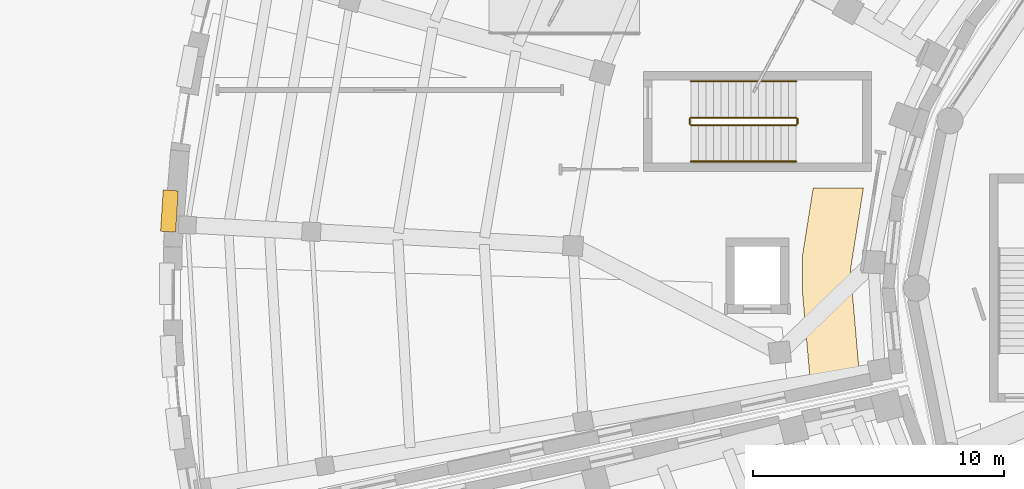
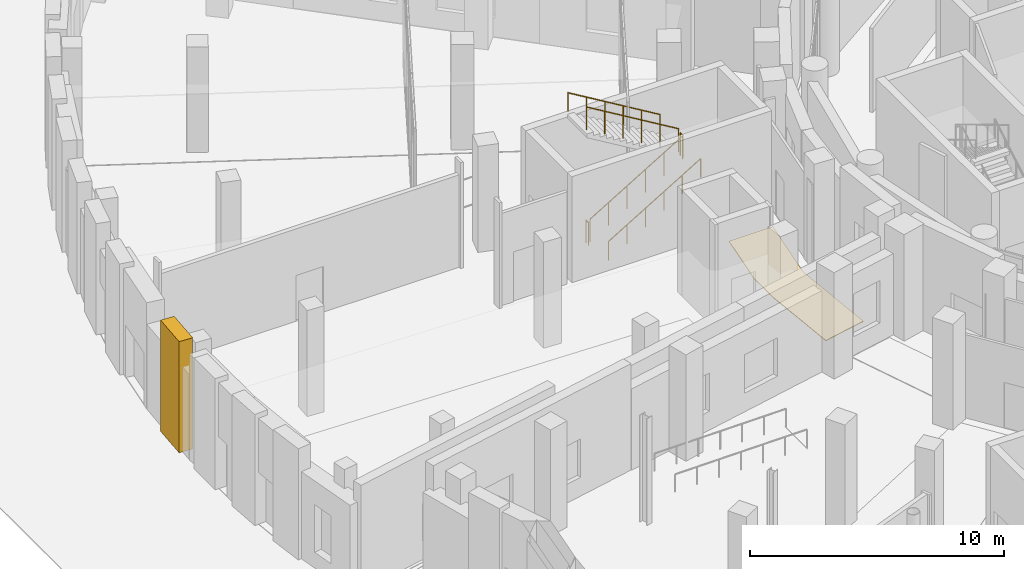
# One storey, part 59 of 74: 6 railings, 2 coverings.
"""IFC4 building model written with IfcOpenShell, lengths in metres."""

from ifc_helpers import new_model, si_unit, direction, frame, origin, origin_2d, place, context, subcontext, project, spatial, polyline, rectangle, circle, outline, extrude, material, layer, layer_set, type_object, element, save


model = new_model("IFC4")

# Units and contexts
model_context = context("Model", 3, precision=1e-05, world=origin(), true_north=direction((0.0, 1.0)))
body_context = subcontext(model_context, "Body", "Model", "MODEL_VIEW")
ifc_project = project(units=[si_unit("LENGTHUNIT", "METRE"), si_unit("AREAUNIT", "SQUARE_METRE"), si_unit("VOLUMEUNIT", "CUBIC_METRE"), si_unit("PLANEANGLEUNIT", "RADIAN"), si_unit("MASSUNIT", "GRAM", prefix="KILO")], contexts=[model_context])

# Site, building, storey
site_placement = place(None, origin())
site = spatial("IfcSite", under=ifc_project, at=site_placement, CompositionType="ELEMENT")
building_placement = place(site_placement, origin())
building = spatial("IfcBuilding", under=site, at=building_placement, Name="Soyqirgoq Riverine Aquarium", CompositionType="ELEMENT")
storey_placement = place(building_placement, origin())
storey = spatial("IfcBuildingStorey", under=building, at=storey_placement, Name="L01", CompositionType="ELEMENT", Elevation=0.0)

# Railings
ifc_material_1 = material(Name="Brushed stainless steel 316L tubular handrail", Category="steel")
railing_type_1 = type_object("IfcRailingType", Name="StairPitchHandrail_920", PredefinedType="HANDRAIL", material=ifc_material_1)
railing_1_placement = place(storey_placement, frame((29.550048828125, 62.050048828125, 0.179931640625)))
element("IfcRailing", 1, at=railing_1_placement, inside=storey, type_object=railing_type_1, Name="L01 ST-3 stair handrail 1", PredefinedType="HANDRAIL", context=body_context, shape_type="SweptSolid", body=[
    extrude(circle(Radius=0.02392578125, at=origin_2d()), frame((0.0, 0.0, 0.89990234375), z_axis=(0.857488527567, 0.0, 0.514503085598), x_axis=(0.0, 1.0, 0.0)), (0.0, 0.0, 1.0), 4.89794921875),
    extrude(circle(Radius=0.02099609375, at=origin_2d()), origin(), (0.0, 0.0, 1.0), 0.875732421875),
    extrude(circle(Radius=0.02099609375, at=origin_2d()), frame((0.840087890625, 0.0, 0.50390625)), (0.0, 0.0, 1.0), 0.875732421875),
    extrude(circle(Radius=0.02099609375, at=origin_2d()), frame((1.679931640625, 0.0, 1.008056640625)), (0.0, 0.0, 1.0), 0.875732421875),
    extrude(circle(Radius=0.02099609375, at=origin_2d()), frame((2.52001953125, 0.0, 1.511962890625)), (0.0, 0.0, 1.0), 0.875732421875),
    extrude(circle(Radius=0.02099609375, at=origin_2d()), frame((3.35986328125, 0.0, 2.01611328125)), (0.0, 0.0, 1.0), 0.875732421875),
    extrude(circle(Radius=0.02099609375, at=origin_2d()), frame((4.199951171875, 0.0, 2.52001953125)), (0.0, 0.0, 1.0), 0.875732421875),
])
railing_2_placement = place(storey_placement, frame((33.75, 65.25, 2.8798828125)))
element("IfcRailing", 2, at=railing_2_placement, inside=storey, type_object=railing_type_1, Name="L01 ST-3 stair handrail 2", PredefinedType="HANDRAIL", context=body_context, shape_type="SweptSolid", body=[
    extrude(circle(Radius=0.02392578125, at=origin_2d()), frame((0.0, 0.0, 0.89990234375), z_axis=(-0.857488527567, 0.0, 0.514503085598), x_axis=(0.0, -1.0, 0.0)), (0.0, 0.0, 1.0), 4.89794921875),
    extrude(circle(Radius=0.02099609375, at=origin_2d()), origin(), (0.0, 0.0, 1.0), 0.875732421875),
    extrude(circle(Radius=0.02099609375, at=origin_2d()), frame((-0.840087890625, 0.0, 0.50390625)), (0.0, 0.0, 1.0), 0.875732421875),
    extrude(circle(Radius=0.02099609375, at=origin_2d()), frame((-1.679931640625, 0.0, 1.008056640625)), (0.0, 0.0, 1.0), 0.875732421875),
    extrude(circle(Radius=0.02099609375, at=origin_2d()), frame((-2.52001953125, 0.0, 1.511962890625)), (0.0, 0.0, 1.0), 0.875732421875),
    extrude(circle(Radius=0.02099609375, at=origin_2d()), frame((-3.35986328125, 0.0, 2.01611328125)), (0.0, 0.0, 1.0), 0.875732421875),
    extrude(circle(Radius=0.02099609375, at=origin_2d()), frame((-4.199951171875, 0.0, 2.52001953125)), (0.0, 0.0, 1.0), 0.875732421875),
])
ifc_material_2 = material(Name="Painted steel infill stair-well guardrail", Category="steel")
railing_type_2 = type_object("IfcRailingType", Name="StairWellGuard_1120", PredefinedType="GUARDRAIL", material=ifc_material_2)
railing_3_placement = place(storey_placement, frame((29.550048828125, 63.5, 0.179931640625)))
element("IfcRailing", 3, at=railing_3_placement, inside=storey, type_object=railing_type_2, Name="L01 ST-3 stair guard 1", PredefinedType="GUARDRAIL", context=body_context, shape_type="SweptSolid", body=[
    extrude(circle(Radius=0.02392578125, at=origin_2d()), frame((0.0, 0.0, 1.09619140625), z_axis=(0.857488527567, 0.0, 0.514503085598), x_axis=(0.0, 1.0, 0.0)), (0.0, 0.0, 1.0), 4.89794921875),
    extrude(circle(Radius=0.02099609375, at=origin_2d()), origin(), (0.0, 0.0, 1.0), 1.072021484375),
    extrude(circle(Radius=0.02099609375, at=origin_2d()), frame((0.840087890625, 0.0, 0.50390625)), (0.0, 0.0, 1.0), 1.072021484375),
    extrude(circle(Radius=0.02099609375, at=origin_2d()), frame((1.679931640625, 0.0, 1.008056640625)), (0.0, 0.0, 1.0), 1.072021484375),
    extrude(circle(Radius=0.02099609375, at=origin_2d()), frame((2.52001953125, 0.0, 1.511962890625)), (0.0, 0.0, 1.0), 1.072021484375),
    extrude(circle(Radius=0.02099609375, at=origin_2d()), frame((3.35986328125, 0.0, 2.01611328125)), (0.0, 0.0, 1.0), 1.072021484375),
    extrude(circle(Radius=0.02099609375, at=origin_2d()), frame((4.199951171875, 0.0, 2.52001953125)), (0.0, 0.0, 1.0), 1.072021484375),
])
railing_4_placement = place(storey_placement, frame((33.800048828125, 63.550048828125, 2.699951171875)))
element("IfcRailing", 4, at=railing_4_placement, inside=storey, type_object=railing_type_2, Name="L01 ST-3 stair guard 2", PredefinedType="GUARDRAIL", context=body_context, shape_type="SweptSolid", body=[
    extrude(circle(Radius=0.02392578125, at=origin_2d()), frame((0.0, 0.0, 1.09619140625), z_axis=(0.0, 1.0, 0.0), x_axis=(-1.0, 0.0, 0.0)), (0.0, 0.0, 1.0), 0.199951171875),
    extrude(circle(Radius=0.02099609375, at=origin_2d()), origin(), (0.0, 0.0, 1.0), 1.072021484375),
    extrude(circle(Radius=0.02099609375, at=origin_2d()), frame((0.0, 0.199951171875, 0.0)), (0.0, 0.0, 1.0), 1.072021484375),
])
railing_5_placement = place(storey_placement, frame((33.75, 63.800048828125, 2.8798828125)))
element("IfcRailing", 5, at=railing_5_placement, inside=storey, type_object=railing_type_2, Name="L01 ST-3 stair guard 3", PredefinedType="GUARDRAIL", context=body_context, shape_type="SweptSolid", body=[
    extrude(circle(Radius=0.02392578125, at=origin_2d()), frame((0.0, 0.0, 1.09619140625), z_axis=(-0.857488527567, 0.0, 0.514503085598), x_axis=(0.0, -1.0, 0.0)), (0.0, 0.0, 1.0), 4.89794921875),
    extrude(circle(Radius=0.02099609375, at=origin_2d()), origin(), (0.0, 0.0, 1.0), 1.072021484375),
    extrude(circle(Radius=0.02099609375, at=origin_2d()), frame((-0.840087890625, 0.0, 0.50390625)), (0.0, 0.0, 1.0), 1.072021484375),
    extrude(circle(Radius=0.02099609375, at=origin_2d()), frame((-1.679931640625, 0.0, 1.008056640625)), (0.0, 0.0, 1.0), 1.072021484375),
    extrude(circle(Radius=0.02099609375, at=origin_2d()), frame((-2.52001953125, 0.0, 1.511962890625)), (0.0, 0.0, 1.0), 1.072021484375),
    extrude(circle(Radius=0.02099609375, at=origin_2d()), frame((-3.35986328125, 0.0, 2.01611328125)), (0.0, 0.0, 1.0), 1.072021484375),
    extrude(circle(Radius=0.02099609375, at=origin_2d()), frame((-4.199951171875, 0.0, 2.52001953125)), (0.0, 0.0, 1.0), 1.072021484375),
])
railing_6_placement = place(storey_placement, frame((29.5, 63.550048828125, 0.0)))
element("IfcRailing", 6, at=railing_6_placement, inside=storey, type_object=railing_type_2, Name="L01 ST-3 stair guard 4", PredefinedType="GUARDRAIL", context=body_context, shape_type="SweptSolid", body=[
    extrude(circle(Radius=0.02392578125, at=origin_2d()), frame((0.0, 0.0, 1.09619140625), z_axis=(0.0, 1.0, 0.0), x_axis=(-1.0, 0.0, 0.0)), (0.0, 0.0, 1.0), 0.199951171875),
    extrude(circle(Radius=0.02099609375, at=origin_2d()), origin(), (0.0, 0.0, 1.0), 1.072021484375),
    extrude(circle(Radius=0.02099609375, at=origin_2d()), frame((0.0, 0.199951171875, 0.0)), (0.0, 0.0, 1.0), 1.072021484375),
])

# Coverings
ifc_material_3 = material(Name="Polished Chirchiq river-pebble terrazzo flooring", Category="concrete")
ifc_layer = layer(ifc_material_3, 0.030029296875)
ifc_layer_set = layer_set([ifc_layer], Name="Polished Chirchiq river-pebble terrazzo flooring")
covering_type_1 = type_object("IfcCoveringType", Name="TerrazzoFloorFinish_30", PredefinedType="FLOORING", material=ifc_layer_set)
covering_1_placement = place(storey_placement, origin())
element("IfcCovering", 7, at=covering_1_placement, inside=storey, type_object=covering_type_1, Name="V3 Gallery Circulation Corridor Floor Finish", PredefinedType="FLOORING", context=body_context, shape_type="SweptSolid", body=[
    extrude(outline(polyline([(34.320068359375, 53.1689453125), (34.0, 56.820068359375), (34.0, 58.2958984375), (34.427978515625, 61.0), (36.430908203125, 61.0), (35.91796875, 57.756103515625), (35.912109375, 57.701904296875), (35.9140625, 57.64697265625), (36.26904296875, 53.5830078125), (34.320068359375, 53.1689453125)])), origin(), (0.0, 0.0, 1.0), 0.030029296875),
])
ifc_material_4 = material(Name="Honed Uzbek travertine limestone vertical niche pier", Category="masonry")
covering_type_2 = type_object("IfcCoveringType", Name="TravertineNichePier_550", PredefinedType="CLADDING", material=ifc_material_4)
covering_2_placement = place(storey_placement, frame((8.75, 60.07470703125, 0.0), z_axis=(0.0, 0.0, 1.0), x_axis=(-0.997893031451, 0.064880642578, 0.0)))
element("IfcCovering", 8, at=covering_2_placement, inside=storey, type_object=covering_type_2, Name="V3 L01 Travertine Vertical Niche Pier 031", PredefinedType="CLADDING", context=body_context, shape_type="SweptSolid", body=[
    extrude(rectangle(XDim=0.60009765625, YDim=1.64990234375, at=origin_2d()), origin(), (0.0, 0.0, 1.0), 5.35009765625),
])

save(model, "model.ifc")
